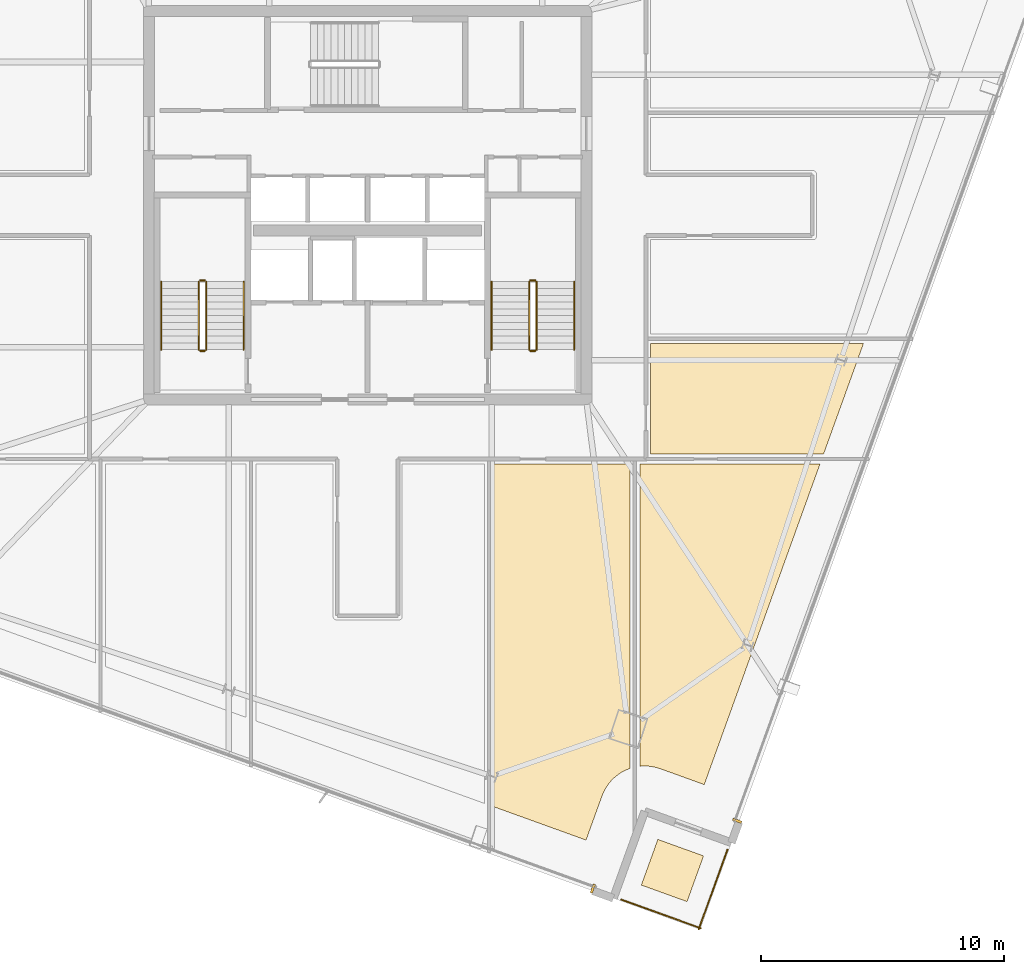
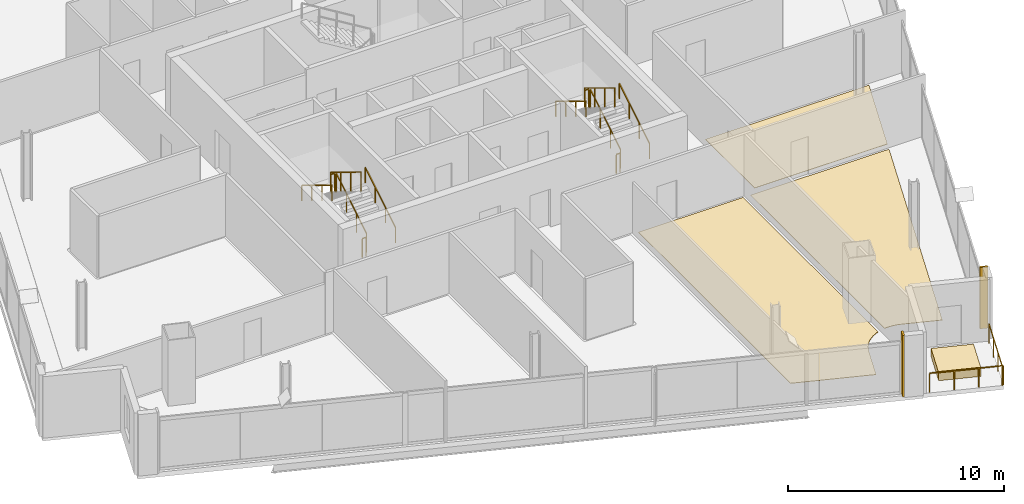
# One storey, part 24 of 27: 14 railings, 6 coverings.
"""IFC4 building model written with IfcOpenShell, lengths in metres."""

from ifc_helpers import new_model, si_unit, direction, frame, origin, origin_2d, place, context, subcontext, project, spatial, polyline, rectangle, outline, extrude, source, transform, mapped, material, layer, layer_set, type_object, element, save


model = new_model("IFC4")

# Units and contexts
model_context = context("Model", 3, precision=1e-05, world=origin(), true_north=direction((0.0, 1.0)))
body_context = subcontext(model_context, "Body", "Model", "MODEL_VIEW")
ifc_project = project(units=[si_unit("LENGTHUNIT", "METRE"), si_unit("AREAUNIT", "SQUARE_METRE"), si_unit("VOLUMEUNIT", "CUBIC_METRE"), si_unit("PLANEANGLEUNIT", "RADIAN"), si_unit("MASSUNIT", "GRAM", prefix="KILO")], contexts=[model_context])

# Site, building, storey
site_placement = place(None, origin())
site = spatial("IfcSite", under=ifc_project, at=site_placement, CompositionType="ELEMENT")
building_placement = place(site_placement, origin())
building = spatial("IfcBuilding", under=site, at=building_placement, Name="Haldenkirk Collegiate Tower", CompositionType="ELEMENT")
storey_placement = place(building_placement, frame((0.0, 0.0, 263.699951171875)))
storey = spatial("IfcBuildingStorey", under=building, at=storey_placement, Name="L66", CompositionType="ELEMENT", Elevation=263.699951171875)

# Coverings
ifc_material_1 = material(Name="Polished collegiate terrazzo", Category="concrete")
ifc_layer_1 = layer(ifc_material_1, 0.02490234375)
ifc_layer_set_1 = layer_set([ifc_layer_1], Name="Polished collegiate terrazzo")
covering_type_1 = type_object("IfcCoveringType", Name="COV-FLOOR-TERRAZZO", PredefinedType="FLOORING", material=ifc_layer_set_1)
covering_1_placement = place(storey_placement, origin())
element("IfcCovering", 1, at=covering_1_placement, inside=storey, type_object=covering_type_1, Name="L66 academic room finish 04", PredefinedType="FLOORING", context=body_context, shape_type="SweptSolid", body=[
    extrude(outline(polyline([(46.784423828125, 2.809326171875), (46.7734375, 2.805419921875), (46.614501953125, 2.739990234375), (46.60400390625, 2.735107421875), (46.452392578125, 2.654541015625), (46.442138671875, 2.648681640625), (46.299072265625, 2.5537109375), (46.28955078125, 2.546630859375), (46.156494140625, 2.43798828125), (46.147705078125, 2.43017578125), (46.02587890625, 2.30908203125), (46.01806640625, 2.30029296875), (45.90869140625, 2.16796875), (45.901611328125, 2.158447265625), (45.805908203125, 2.015869140625), (45.7998046875, 2.005859375), (45.71826171875, 1.8544921875), (45.713134765625, 1.843994140625), (45.647216796875, 1.685302734375), (45.64501953125, 1.679931640625), (44.98974609375, -0.13525390625), (41.199951171875, 1.23291015625), (41.199951171875, 15.35009765625), (46.800048828125, 15.35009765625), (46.800048828125, 2.81396484375), (46.784423828125, 2.809326171875)])), origin(), (0.0, 0.0, 1.0), 0.025146484375),
])
ifc_material_2 = material(Name="Engineered collegiate oak acoustic flooring", Category="wood")
ifc_layer_2 = layer(ifc_material_2, 0.02197265625)
ifc_layer_set_2 = layer_set([ifc_layer_2], Name="Engineered collegiate oak acoustic flooring")
covering_type_2 = type_object("IfcCoveringType", Name="COV-FLOOR-TIMBER", PredefinedType="FLOORING", material=ifc_layer_set_2)
covering_2_placement = place(storey_placement, origin())
element("IfcCovering", 2, at=covering_2_placement, inside=storey, type_object=covering_type_2, Name="L66 academic room finish 05", PredefinedType="FLOORING", context=body_context, shape_type="SweptSolid", body=[
    extrude(outline(polyline([(47.199951171875, 2.90185546875), (47.199951171875, 15.35009765625), (54.6201171875, 15.35009765625), (49.854248046875, 2.1484375), (48.038818359375, 2.803955078125), (48.033203125, 2.8056640625), (47.868896484375, 2.85595703125), (47.857666015625, 2.85888671875), (47.689453125, 2.892822265625), (47.677734375, 2.894775390625), (47.5068359375, 2.912109375), (47.4951171875, 2.91259765625), (47.3232421875, 2.9130859375), (47.3115234375, 2.91259765625), (47.199951171875, 2.90185546875)])), origin(), (0.0, 0.0, 1.0), 0.02197265625),
])
covering_3_placement = place(storey_placement, origin())
element("IfcCovering", 3, at=covering_3_placement, inside=storey, type_object=covering_type_2, Name="L66 academic room finish 09", PredefinedType="FLOORING", context=body_context, shape_type="SweptSolid", body=[
    extrude(outline(polyline([(54.764404296875, 15.75), (47.64990234375, 15.75), (47.64990234375, 20.300048828125), (56.406982421875, 20.300048828125), (54.764404296875, 15.75)])), origin(), (0.0, 0.0, 1.0), 0.02197265625),
])
ifc_material_3 = material(Name="Precast concrete f'c 40 MPa", Category="concrete")
ifc_layer_3 = layer(ifc_material_3, 0.449951171875)
ifc_layer_set_3 = layer_set([ifc_layer_3], Name="Precast concrete f'c 40 MPa")
covering_type_3 = type_object("IfcCoveringType", Name="COV-PLANTER-450", PredefinedType="USERDEFINED", material=ifc_layer_set_3)
covering_4_placement = place(storey_placement, origin())
element("IfcCovering", 4, at=covering_4_placement, inside=storey, type_object=covering_type_3, Name="L66 planted garden planter bed", ObjectType="PLANTER", PredefinedType="USERDEFINED", context=body_context, shape_type="SweptSolid", body=[
    extrude(outline(polyline([(49.14697265625, -2.66748046875), (47.265625, -1.98828125), (47.94482421875, -0.107177734375), (49.825927734375, -0.7861328125), (49.14697265625, -2.66748046875)])), origin(), (0.0, 0.0, 1.0), 0.449951171875),
])

# Railings
ifc_material_4 = material(Name="Painted architectural tubular steel", Category="steel")
railing_type_1 = type_object("IfcRailingType", Name="RLG-STAIR-GUARD-1100", PredefinedType="BALUSTRADE", material=ifc_material_4)
railing_1_placement = place(storey_placement, frame((29.35009765625, 20.050048828125, 0.17041015625)))
element("IfcRailing", 5, at=railing_1_placement, inside=storey, type_object=railing_type_1, Name="L66 ST-1 stair guard 1", PredefinedType="BALUSTRADE", context=body_context, shape_type="SweptSolid", body=[
    extrude(rectangle(XDim=0.048095703125, YDim=0.048095703125, at=origin_2d()), frame((0.0, 0.0, 1.076171875), z_axis=(0.0, 0.854169791009, 0.51999420009), x_axis=(-1.0, 0.0, 0.0)), (0.0, 0.0, 1.0), 3.278076171875),
    extrude(rectangle(XDim=0.0419921875, YDim=0.0419921875, at=origin_2d()), origin(), (0.0, 0.0, 1.0), 1.052001953125),
    extrude(rectangle(XDim=0.0419921875, YDim=0.0419921875, at=origin_2d()), frame((0.0, 0.933349609375, 0.568115234375)), (0.0, 0.0, 1.0), 1.052001953125),
    extrude(rectangle(XDim=0.0419921875, YDim=0.0419921875, at=origin_2d()), frame((0.0, 1.86669921875, 1.136474609375)), (0.0, 0.0, 1.0), 1.052001953125),
    extrude(rectangle(XDim=0.0419921875, YDim=0.0419921875, at=origin_2d()), frame((0.0, 2.800048828125, 1.70458984375)), (0.0, 0.0, 1.0), 1.052001953125),
])
railing_2_placement = place(storey_placement, frame((29.300048828125, 22.89990234375, 1.875)))
element("IfcRailing", 6, at=railing_2_placement, inside=storey, type_object=railing_type_1, Name="L66 ST-1 stair guard 2", PredefinedType="BALUSTRADE", context=body_context, shape_type="SweptSolid", body=[
    extrude(rectangle(XDim=0.048095703125, YDim=0.048095703125, at=origin_2d()), frame((0.0, 0.0, 1.076171875), z_axis=(-1.0, 0.0, 0.0), x_axis=(0.0, -1.0, 0.0)), (0.0, 0.0, 1.0), 0.199951171875),
    extrude(rectangle(XDim=0.0419921875, YDim=0.0419921875, at=origin_2d()), origin(), (0.0, 0.0, 1.0), 1.052001953125),
    extrude(rectangle(XDim=0.0419921875, YDim=0.0419921875, at=origin_2d()), frame((-0.199951171875, 0.0, 0.0)), (0.0, 0.0, 1.0), 1.052001953125),
])
railing_3_placement = place(storey_placement, frame((29.050048828125, 22.85009765625, 2.04541015625)))
element("IfcRailing", 7, at=railing_3_placement, inside=storey, type_object=railing_type_1, Name="L66 ST-1 stair guard 3", PredefinedType="BALUSTRADE", context=body_context, shape_type="SweptSolid", body=[
    extrude(rectangle(XDim=0.048095703125, YDim=0.048095703125, at=origin_2d()), frame((0.0, 0.0, 1.076171875), z_axis=(0.0, -0.854169791009, 0.51999420009), x_axis=(1.0, 0.0, 0.0)), (0.0, 0.0, 1.0), 3.278076171875),
    extrude(rectangle(XDim=0.0419921875, YDim=0.0419921875, at=origin_2d()), origin(), (0.0, 0.0, 1.0), 1.052001953125),
    extrude(rectangle(XDim=0.0419921875, YDim=0.0419921875, at=origin_2d()), frame((0.0, -0.933349609375, 0.568115234375)), (0.0, 0.0, 1.0), 1.052001953125),
    extrude(rectangle(XDim=0.0419921875, YDim=0.0419921875, at=origin_2d()), frame((0.0, -1.86669921875, 1.136474609375)), (0.0, 0.0, 1.0), 1.052001953125),
    extrude(rectangle(XDim=0.0419921875, YDim=0.0419921875, at=origin_2d()), frame((0.0, -2.800048828125, 1.70458984375)), (0.0, 0.0, 1.0), 1.052001953125),
])
railing_4_placement = place(storey_placement, frame((29.300048828125, 20.0, 0.0)))
element("IfcRailing", 8, at=railing_4_placement, inside=storey, type_object=railing_type_1, Name="L66 ST-1 stair guard 4", PredefinedType="BALUSTRADE", context=body_context, shape_type="SweptSolid", body=[
    extrude(rectangle(XDim=0.048095703125, YDim=0.048095703125, at=origin_2d()), frame((0.0, 0.0, 1.076171875), z_axis=(-1.0, 0.0, 0.0), x_axis=(0.0, -1.0, 0.0)), (0.0, 0.0, 1.0), 0.199951171875),
    extrude(rectangle(XDim=0.0419921875, YDim=0.0419921875, at=origin_2d()), origin(), (0.0, 0.0, 1.0), 1.052001953125),
    extrude(rectangle(XDim=0.0419921875, YDim=0.0419921875, at=origin_2d()), frame((-0.199951171875, 0.0, 0.0)), (0.0, 0.0, 1.0), 1.052001953125),
])
railing_5_placement = place(storey_placement, frame((42.949951171875, 20.050048828125, 0.17041015625)))
element("IfcRailing", 9, at=railing_5_placement, inside=storey, type_object=railing_type_1, Name="L66 ST-2 stair guard 1", PredefinedType="BALUSTRADE", context=body_context, shape_type="SweptSolid", body=[
    extrude(rectangle(XDim=0.048095703125, YDim=0.048095703125, at=origin_2d()), frame((0.0, 0.0, 1.076171875), z_axis=(0.0, 0.854169791009, 0.51999420009), x_axis=(-1.0, 0.0, 0.0)), (0.0, 0.0, 1.0), 3.278076171875),
    extrude(rectangle(XDim=0.0419921875, YDim=0.0419921875, at=origin_2d()), origin(), (0.0, 0.0, 1.0), 1.052001953125),
    extrude(rectangle(XDim=0.0419921875, YDim=0.0419921875, at=origin_2d()), frame((0.0, 0.933349609375, 0.568115234375)), (0.0, 0.0, 1.0), 1.052001953125),
    extrude(rectangle(XDim=0.0419921875, YDim=0.0419921875, at=origin_2d()), frame((0.0, 1.86669921875, 1.136474609375)), (0.0, 0.0, 1.0), 1.052001953125),
    extrude(rectangle(XDim=0.0419921875, YDim=0.0419921875, at=origin_2d()), frame((0.0, 2.800048828125, 1.70458984375)), (0.0, 0.0, 1.0), 1.052001953125),
])
railing_6_placement = place(storey_placement, frame((42.89990234375, 22.89990234375, 1.875)))
element("IfcRailing", 10, at=railing_6_placement, inside=storey, type_object=railing_type_1, Name="L66 ST-2 stair guard 2", PredefinedType="BALUSTRADE", context=body_context, shape_type="SweptSolid", body=[
    extrude(rectangle(XDim=0.048095703125, YDim=0.048095703125, at=origin_2d()), frame((0.0, 0.0, 1.076171875), z_axis=(-1.0, 0.0, 0.0), x_axis=(0.0, -1.0, 0.0)), (0.0, 0.0, 1.0), 0.199951171875),
    extrude(rectangle(XDim=0.0419921875, YDim=0.0419921875, at=origin_2d()), origin(), (0.0, 0.0, 1.0), 1.052001953125),
    extrude(rectangle(XDim=0.0419921875, YDim=0.0419921875, at=origin_2d()), frame((-0.199951171875, 0.0, 0.0)), (0.0, 0.0, 1.0), 1.052001953125),
])
railing_7_placement = place(storey_placement, frame((42.64990234375, 22.85009765625, 2.04541015625)))
element("IfcRailing", 11, at=railing_7_placement, inside=storey, type_object=railing_type_1, Name="L66 ST-2 stair guard 3", PredefinedType="BALUSTRADE", context=body_context, shape_type="SweptSolid", body=[
    extrude(rectangle(XDim=0.048095703125, YDim=0.048095703125, at=origin_2d()), frame((0.0, 0.0, 1.076171875), z_axis=(0.0, -0.854169791009, 0.51999420009), x_axis=(1.0, 0.0, 0.0)), (0.0, 0.0, 1.0), 3.278076171875),
    extrude(rectangle(XDim=0.0419921875, YDim=0.0419921875, at=origin_2d()), origin(), (0.0, 0.0, 1.0), 1.052001953125),
    extrude(rectangle(XDim=0.0419921875, YDim=0.0419921875, at=origin_2d()), frame((0.0, -0.933349609375, 0.568115234375)), (0.0, 0.0, 1.0), 1.052001953125),
    extrude(rectangle(XDim=0.0419921875, YDim=0.0419921875, at=origin_2d()), frame((0.0, -1.86669921875, 1.136474609375)), (0.0, 0.0, 1.0), 1.052001953125),
    extrude(rectangle(XDim=0.0419921875, YDim=0.0419921875, at=origin_2d()), frame((0.0, -2.800048828125, 1.70458984375)), (0.0, 0.0, 1.0), 1.052001953125),
])
railing_8_placement = place(storey_placement, frame((42.89990234375, 20.0, 0.0)))
element("IfcRailing", 12, at=railing_8_placement, inside=storey, type_object=railing_type_1, Name="L66 ST-2 stair guard 4", PredefinedType="BALUSTRADE", context=body_context, shape_type="SweptSolid", body=[
    extrude(rectangle(XDim=0.048095703125, YDim=0.048095703125, at=origin_2d()), frame((0.0, 0.0, 1.076171875), z_axis=(-1.0, 0.0, 0.0), x_axis=(0.0, -1.0, 0.0)), (0.0, 0.0, 1.0), 0.199951171875),
    extrude(rectangle(XDim=0.0419921875, YDim=0.0419921875, at=origin_2d()), origin(), (0.0, 0.0, 1.0), 1.052001953125),
    extrude(rectangle(XDim=0.0419921875, YDim=0.0419921875, at=origin_2d()), frame((-0.199951171875, 0.0, 0.0)), (0.0, 0.0, 1.0), 1.052001953125),
])
railing_type_2 = type_object("IfcRailingType", Name="RLG-STAIR-HANDRAIL-900", PredefinedType="HANDRAIL", material=ifc_material_4)
railing_9_placement = place(storey_placement, frame((30.89990234375, 20.050048828125, 0.17041015625)))
element("IfcRailing", 13, at=railing_9_placement, inside=storey, type_object=railing_type_2, Name="L66 ST-1 stair handrail 1", PredefinedType="HANDRAIL", context=body_context, shape_type="SweptSolid", body=[
    extrude(rectangle(XDim=0.048095703125, YDim=0.048095703125, at=origin_2d()), frame((0.0, 0.0, 0.8759765625), z_axis=(0.0, 0.854169791009, 0.51999420009), x_axis=(-1.0, 0.0, 0.0)), (0.0, 0.0, 1.0), 3.278076171875),
    extrude(rectangle(XDim=0.0419921875, YDim=0.0419921875, at=origin_2d()), origin(), (0.0, 0.0, 1.0), 0.851806640625),
    extrude(rectangle(XDim=0.0419921875, YDim=0.0419921875, at=origin_2d()), frame((0.0, 0.933349609375, 0.568115234375)), (0.0, 0.0, 1.0), 0.851806640625),
    extrude(rectangle(XDim=0.0419921875, YDim=0.0419921875, at=origin_2d()), frame((0.0, 1.86669921875, 1.136474609375)), (0.0, 0.0, 1.0), 0.851806640625),
    extrude(rectangle(XDim=0.0419921875, YDim=0.0419921875, at=origin_2d()), frame((0.0, 2.800048828125, 1.70458984375)), (0.0, 0.0, 1.0), 0.851806640625),
])
railing_10_placement = place(storey_placement, frame((27.5, 22.85009765625, 2.04541015625)))
element("IfcRailing", 14, at=railing_10_placement, inside=storey, type_object=railing_type_2, Name="L66 ST-1 stair handrail 2", PredefinedType="HANDRAIL", context=body_context, shape_type="SweptSolid", body=[
    extrude(rectangle(XDim=0.048095703125, YDim=0.048095703125, at=origin_2d()), frame((0.0, 0.0, 0.8759765625), z_axis=(0.0, -0.854169791009, 0.51999420009), x_axis=(1.0, 0.0, 0.0)), (0.0, 0.0, 1.0), 3.278076171875),
    extrude(rectangle(XDim=0.0419921875, YDim=0.0419921875, at=origin_2d()), origin(), (0.0, 0.0, 1.0), 0.851806640625),
    extrude(rectangle(XDim=0.0419921875, YDim=0.0419921875, at=origin_2d()), frame((0.0, -0.933349609375, 0.568115234375)), (0.0, 0.0, 1.0), 0.851806640625),
    extrude(rectangle(XDim=0.0419921875, YDim=0.0419921875, at=origin_2d()), frame((0.0, -1.86669921875, 1.136474609375)), (0.0, 0.0, 1.0), 0.851806640625),
    extrude(rectangle(XDim=0.0419921875, YDim=0.0419921875, at=origin_2d()), frame((0.0, -2.800048828125, 1.70458984375)), (0.0, 0.0, 1.0), 0.851806640625),
])
railing_11_placement = place(storey_placement, frame((44.5, 20.050048828125, 0.17041015625)))
element("IfcRailing", 15, at=railing_11_placement, inside=storey, type_object=railing_type_2, Name="L66 ST-2 stair handrail 1", PredefinedType="HANDRAIL", context=body_context, shape_type="SweptSolid", body=[
    extrude(rectangle(XDim=0.048095703125, YDim=0.048095703125, at=origin_2d()), frame((0.0, 0.0, 0.8759765625), z_axis=(0.0, 0.854169791009, 0.51999420009), x_axis=(-1.0, 0.0, 0.0)), (0.0, 0.0, 1.0), 3.278076171875),
    extrude(rectangle(XDim=0.0419921875, YDim=0.0419921875, at=origin_2d()), origin(), (0.0, 0.0, 1.0), 0.851806640625),
    extrude(rectangle(XDim=0.0419921875, YDim=0.0419921875, at=origin_2d()), frame((0.0, 0.933349609375, 0.568115234375)), (0.0, 0.0, 1.0), 0.851806640625),
    extrude(rectangle(XDim=0.0419921875, YDim=0.0419921875, at=origin_2d()), frame((0.0, 1.86669921875, 1.136474609375)), (0.0, 0.0, 1.0), 0.851806640625),
    extrude(rectangle(XDim=0.0419921875, YDim=0.0419921875, at=origin_2d()), frame((0.0, 2.800048828125, 1.70458984375)), (0.0, 0.0, 1.0), 0.851806640625),
])
railing_12_placement = place(storey_placement, frame((41.10009765625, 22.85009765625, 2.04541015625)))
element("IfcRailing", 16, at=railing_12_placement, inside=storey, type_object=railing_type_2, Name="L66 ST-2 stair handrail 2", PredefinedType="HANDRAIL", context=body_context, shape_type="SweptSolid", body=[
    extrude(rectangle(XDim=0.048095703125, YDim=0.048095703125, at=origin_2d()), frame((0.0, 0.0, 0.8759765625), z_axis=(0.0, -0.854169791009, 0.51999420009), x_axis=(1.0, 0.0, 0.0)), (0.0, 0.0, 1.0), 3.278076171875),
    extrude(rectangle(XDim=0.0419921875, YDim=0.0419921875, at=origin_2d()), origin(), (0.0, 0.0, 1.0), 0.851806640625),
    extrude(rectangle(XDim=0.0419921875, YDim=0.0419921875, at=origin_2d()), frame((0.0, -0.933349609375, 0.568115234375)), (0.0, 0.0, 1.0), 0.851806640625),
    extrude(rectangle(XDim=0.0419921875, YDim=0.0419921875, at=origin_2d()), frame((0.0, -1.86669921875, 1.136474609375)), (0.0, 0.0, 1.0), 0.851806640625),
    extrude(rectangle(XDim=0.0419921875, YDim=0.0419921875, at=origin_2d()), frame((0.0, -2.800048828125, 1.70458984375)), (0.0, 0.0, 1.0), 0.851806640625),
])
ifc_material_5 = material(Name="Anodised architectural bronze aluminium", Category="aluminium")
railing_type_3 = type_object("IfcRailingType", Name="RLG-TERR-BALUSTRADE-1100", PredefinedType="BALUSTRADE", material=ifc_material_5)
railing_13_placement = place(storey_placement, frame((49.63134765625, -3.799072265625, 0.0)))
element("IfcRailing", 17, at=railing_13_placement, inside=storey, type_object=railing_type_3, Name="L66 terrace guard balustrade 1-1", PredefinedType="BALUSTRADE", context=body_context, shape_type="SweptSolid", body=[
    extrude(rectangle(XDim=0.048095703125, YDim=0.048095703125, at=origin_2d()), frame((0.0, 0.0, 1.076171875), z_axis=(0.339556539437, 0.940585645503, 0.0), x_axis=(-0.940585645503, 0.339556539437, 0.0)), (0.0, 0.0, 1.0), 3.47998046875),
    extrude(rectangle(XDim=0.0419921875, YDim=0.0419921875, at=origin_2d()), origin(), (0.0, 0.0, 1.0), 1.052001953125),
    extrude(rectangle(XDim=0.0419921875, YDim=0.0419921875, at=origin_2d()), frame((0.393798828125, 1.091064453125, 0.0)), (0.0, 0.0, 1.0), 1.052001953125),
    extrude(rectangle(XDim=0.0419921875, YDim=0.0419921875, at=origin_2d()), frame((0.787841796875, 2.18212890625, 0.0)), (0.0, 0.0, 1.0), 1.052001953125),
    extrude(rectangle(XDim=0.0419921875, YDim=0.0419921875, at=origin_2d()), frame((1.181640625, 3.273193359375, 0.0)), (0.0, 0.0, 1.0), 1.052001953125),
])
railing_14_placement = place(storey_placement, frame((46.43505859375, -2.581298828125, 0.0)))
element("IfcRailing", 18, at=railing_14_placement, inside=storey, type_object=railing_type_3, Name="L66 terrace guard balustrade 4-1", PredefinedType="BALUSTRADE", context=body_context, shape_type="SweptSolid", body=[
    extrude(rectangle(XDim=0.048095703125, YDim=0.048095703125, at=origin_2d()), frame((0.0, 0.0, 1.076171875), z_axis=(0.940563237326, -0.339618604602, 0.0), x_axis=(0.339618604602, 0.940563237326, 0.0)), (0.0, 0.0, 1.0), 3.47998046875),
    extrude(rectangle(XDim=0.0419921875, YDim=0.0419921875, at=origin_2d()), origin(), (0.0, 0.0, 1.0), 1.052001953125),
    extrude(rectangle(XDim=0.0419921875, YDim=0.0419921875, at=origin_2d()), frame((1.091064453125, -0.39404296875, 0.0)), (0.0, 0.0, 1.0), 1.052001953125),
    extrude(rectangle(XDim=0.0419921875, YDim=0.0419921875, at=origin_2d()), frame((2.18212890625, -0.787841796875, 0.0)), (0.0, 0.0, 1.0), 1.052001953125),
    extrude(rectangle(XDim=0.0419921875, YDim=0.0419921875, at=origin_2d()), frame((3.273193359375, -1.181884765625, 0.0)), (0.0, 0.0, 1.0), 1.052001953125),
])

# Coverings
ifc_layer_4 = layer(ifc_material_5, 0.06005859375)
ifc_layer_set_4 = layer_set([ifc_layer_4], Name="Anodised architectural bronze aluminium")
covering_type_4 = type_object("IfcCoveringType", Name="COV-CLAD-BRONZE-60", PredefinedType="CLADDING", material=ifc_layer_set_4)
shared_shape = source(origin(), body_context, "Body", "SweptSolid", [
    extrude(rectangle(XDim=0.10009765625, YDim=0.3798828125, at=origin_2d()), origin(), (0.0, 0.0, 1.0), 3.47998046875),
])
for number, where, z_axis, x_axis, name in (
    (19, (51.209228515625, 0.659912109375, 0.0), (0.0, 0.0, 1.0), (-0.339558864524, -0.94058480613, 0.0), "L66 recessed curtain-wall bronze jamb closure SJR"),
    (20, (45.269287109375, -2.12890625, 0.0), (0.0, 0.0, 1.0), (-0.94058480613, 0.339558864524, 0.0), "L66 recessed curtain-wall bronze jamb closure WJL"),
):
    element("IfcCovering", number, at=place(storey_placement, frame(where, z_axis=z_axis, x_axis=x_axis)), inside=storey, type_object=covering_type_4, Name=name, PredefinedType="CLADDING", context=body_context, shape_type="MappedRepresentation", body=[
        mapped(shared_shape, transform((0.0, 0.0, 0.0), x_axis=(1.0, 0.0, 0.0), y_axis=(0.0, 1.0, 0.0), z_axis=(0.0, 0.0, 1.0), scale=1.0)),
    ])

save(model, "model.ifc")
